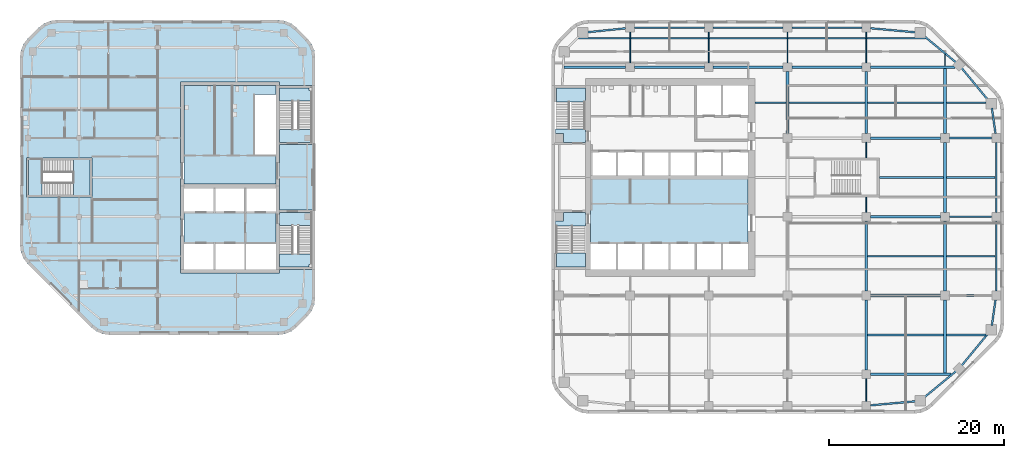
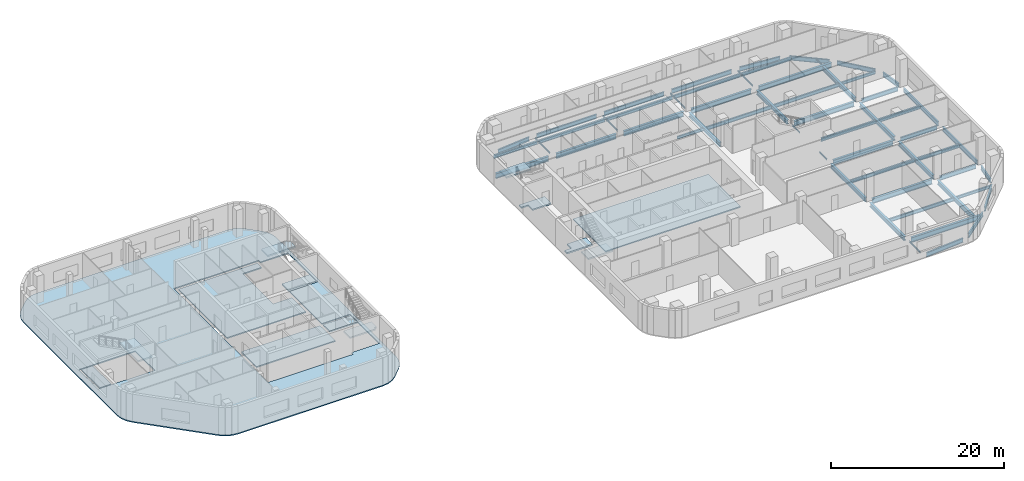
# One storey, part 3 of 14: 57 beams, 14 slabs, 5 elements without a shape of their own.
"""IFC4 building model written with IfcOpenShell, lengths in metres."""

from ifc_helpers import new_model, si_unit, direction, frame, origin, origin_2d, place, context, subcontext, project, spatial, polyline, i_section, outline, extrude, material, layer, layer_set, material_profile, profile_set, type_object, element, aggregate, save


model = new_model("IFC4")

# Units and contexts
model_context = context("Model", 3, precision=1e-05, world=origin(), true_north=direction((0.0, 1.0)))
body_context = subcontext(model_context, "Body", "Model", "MODEL_VIEW")
ifc_project = project(units=[si_unit("LENGTHUNIT", "METRE"), si_unit("AREAUNIT", "SQUARE_METRE"), si_unit("VOLUMEUNIT", "CUBIC_METRE"), si_unit("PLANEANGLEUNIT", "RADIAN"), si_unit("MASSUNIT", "GRAM", prefix="KILO")], contexts=[model_context])

# Site, building, storey
site_placement = place(None, origin())
site = spatial("IfcSite", under=ifc_project, at=site_placement, CompositionType="ELEMENT")
building_placement = place(site_placement, origin())
building = spatial("IfcBuilding", under=site, at=building_placement, Name="Cinnabar Reach Civic Tower", CompositionType="ELEMENT")
storey_placement = place(building_placement, frame((0.0, 0.0, 112.0)))
storey = spatial("IfcBuildingStorey", under=building, at=storey_placement, Name="L26", CompositionType="ELEMENT", Elevation=112.0)

# Beams
ifc_material_1 = material(Name="Steel Q355B", Category="steel")
ifc_material_profile_1 = material_profile(ifc_material_1, i_section(OverallWidth=0.302, OverallDepth=0.594, WebThickness=0.014, FlangeThickness=0.023, FilletRadius=0.016, at=origin_2d()), Name="HM594x302x14x23")
ifc_profile_set_1 = profile_set([ifc_material_profile_1], Name="Steel Q355B")
beam_type_1 = type_object("IfcBeamType", Name="HM594x302x14x23 beam R 180", PredefinedType="BEAM", material=ifc_profile_set_1)
beam_1_placement = place(storey_placement, frame((27.0, 36.502, -0.447), z_axis=(0.0, 1.0, 0.0), x_axis=(-1.0, 0.0, 0.0)))
element("IfcBeam", 1, at=beam_1_placement, inside=storey, type_object=beam_type_1, Name="Girder T1 L26 13", PredefinedType="BEAM", context=body_context, shape_type="SweptSolid", body=[
    extrude(i_section(OverallWidth=0.302, OverallDepth=0.594, WebThickness=0.014, FlangeThickness=0.023, FilletRadius=0.016, at=origin_2d()), origin(), (0.0, 0.0, 1.0), 7.096),
])
for number, where, z_axis, x_axis, name in (
    (2, (36.0, 9.502, -0.447), (0.0, 1.0, 0.0), (-1.0, 0.0, 0.0), "Girder T1 L26 16"),
    (3, (36.0, 18.502, -0.447), (0.0, 1.0, 0.0), (-1.0, 0.0, 0.0), "Girder T1 L26 17"),
):
    element("IfcBeam", number, at=place(storey_placement, frame(where, z_axis=z_axis, x_axis=x_axis)), inside=storey, type_object=beam_type_1, Name=name, PredefinedType="BEAM", context=body_context, shape_type="SweptSolid", body=[
        extrude(i_section(OverallWidth=0.302, OverallDepth=0.594, WebThickness=0.014, FlangeThickness=0.023, FilletRadius=0.016, at=origin_2d()), origin(), (0.0, 0.0, 1.0), 7.996),
    ])
beam_2_placement = place(storey_placement, frame((36.0, 36.502, -0.447), z_axis=(0.0, 1.0, 0.0), x_axis=(-1.0, 0.0, 0.0)))
element("IfcBeam", 4, at=beam_2_placement, inside=storey, type_object=beam_type_1, Name="Girder T1 L26 20", PredefinedType="BEAM", context=body_context, shape_type="SweptSolid", body=[
    extrude(i_section(OverallWidth=0.302, OverallDepth=0.594, WebThickness=0.014, FlangeThickness=0.023, FilletRadius=0.016, at=origin_2d()), origin(), (0.0, 0.0, 1.0), 7.096),
])
beam_3_placement = place(storey_placement, frame((45.0, 9.152, -0.447), z_axis=(0.0, 1.0, 0.0), x_axis=(-1.0, 0.0, 0.0)))
element("IfcBeam", 5, at=beam_3_placement, inside=storey, type_object=beam_type_1, Name="Girder T1 L26 22", PredefinedType="BEAM", context=body_context, shape_type="SweptSolid", body=[
    extrude(i_section(OverallWidth=0.302, OverallDepth=0.594, WebThickness=0.014, FlangeThickness=0.023, FilletRadius=0.016, at=origin_2d()), origin(), (0.0, 0.0, 1.0), 8.346),
])
for number, where, z_axis, x_axis, name in (
    (6, (45.0, 18.502, -0.447), (0.0, 1.0, 0.0), (-1.0, 0.0, 0.0), "Girder T1 L26 23"),
    (7, (45.0, 27.502, -0.447), (0.0, 1.0, 0.0), (-1.0, 0.0, 0.0), "Girder T1 L26 24"),
):
    element("IfcBeam", number, at=place(storey_placement, frame(where, z_axis=z_axis, x_axis=x_axis)), inside=storey, type_object=beam_type_1, Name=name, PredefinedType="BEAM", context=body_context, shape_type="SweptSolid", body=[
        extrude(i_section(OverallWidth=0.302, OverallDepth=0.594, WebThickness=0.014, FlangeThickness=0.023, FilletRadius=0.016, at=origin_2d()), origin(), (0.0, 0.0, 1.0), 7.996),
    ])
beam_4_placement = place(storey_placement, frame((45.0, 36.502, -0.447), z_axis=(0.0, 1.0, 0.0), x_axis=(-1.0, 0.0, 0.0)))
element("IfcBeam", 8, at=beam_4_placement, inside=storey, type_object=beam_type_1, Name="Girder T1 L26 25", PredefinedType="BEAM", context=body_context, shape_type="SweptSolid", body=[
    extrude(i_section(OverallWidth=0.302, OverallDepth=0.594, WebThickness=0.014, FlangeThickness=0.023, FilletRadius=0.016, at=origin_2d()), origin(), (0.0, 0.0, 1.0), 7.446),
])
ifc_material_profile_2 = material_profile(ifc_material_1, i_section(OverallWidth=0.099, OverallDepth=0.198, WebThickness=0.0045, FlangeThickness=0.007, FilletRadius=0.013, at=origin_2d()), Name="HN200x100x5.5x8")
ifc_profile_set_2 = profile_set([ifc_material_profile_2], Name="Steel Q355B")
beam_type_2 = type_object("IfcBeamType", Name="HN200x100x5.5x8 beam R 180", PredefinedType="BEAM", material=ifc_profile_set_2)
for number, where, z_axis, x_axis, name in (
    (9, (9.0, 44.602, -0.249), (0.0, 1.0, 0.0), (-1.0, 0.0, 0.0), "Girder T1 L26 4"),
    (10, (18.0, 44.602, -0.249), (0.0, 1.0, 0.0), (-1.0, 0.0, 0.0), "Girder T1 L26 8"),
    (11, (27.0, 44.602, -0.249), (0.0, 1.0, 0.0), (-1.0, 0.0, 0.0), "Girder T1 L26 14"),
):
    element("IfcBeam", number, at=place(storey_placement, frame(where, z_axis=z_axis, x_axis=x_axis)), inside=storey, type_object=beam_type_2, Name=name, PredefinedType="BEAM", context=body_context, shape_type="SweptSolid", body=[
        extrude(i_section(OverallWidth=0.099, OverallDepth=0.198, WebThickness=0.0045, FlangeThickness=0.007, FilletRadius=0.013, at=origin_2d()), origin(), (0.0, 0.0, 1.0), 3.496),
    ])
beam_5_placement = place(storey_placement, frame((36.0, 5.902, -0.249), z_axis=(0.0, 1.0, 0.0), x_axis=(-1.0, 0.0, 0.0)))
element("IfcBeam", 12, at=beam_5_placement, inside=storey, type_object=beam_type_2, Name="Girder T1 L26 15", PredefinedType="BEAM", context=body_context, shape_type="SweptSolid", body=[
    extrude(i_section(OverallWidth=0.099, OverallDepth=0.198, WebThickness=0.0045, FlangeThickness=0.007, FilletRadius=0.013, at=origin_2d()), origin(), (0.0, 0.0, 1.0), 2.596),
])
for number, where, z_axis, x_axis, name in (
    (13, (36.0, 27.502, -0.249), (0.0, 1.0, 0.0), (-1.0, 0.0, 0.0), "Girder T1 L26 18"),
    (14, (36.0, 33.752, -0.249), (0.0, 1.0, 0.0), (-1.0, 0.0, 0.0), "Girder T1 L26 19"),
):
    element("IfcBeam", number, at=place(storey_placement, frame(where, z_axis=z_axis, x_axis=x_axis)), inside=storey, type_object=beam_type_2, Name=name, PredefinedType="BEAM", context=body_context, shape_type="SweptSolid", body=[
        extrude(i_section(OverallWidth=0.099, OverallDepth=0.198, WebThickness=0.0045, FlangeThickness=0.007, FilletRadius=0.013, at=origin_2d()), origin(), (0.0, 0.0, 1.0), 1.746),
    ])
beam_6_placement = place(storey_placement, frame((36.0, 44.602, -0.249), z_axis=(0.0, 1.0, 0.0), x_axis=(-1.0, 0.0, 0.0)))
element("IfcBeam", 15, at=beam_6_placement, inside=storey, type_object=beam_type_2, Name="Girder T1 L26 21", PredefinedType="BEAM", context=body_context, shape_type="SweptSolid", body=[
    extrude(i_section(OverallWidth=0.099, OverallDepth=0.198, WebThickness=0.0045, FlangeThickness=0.007, FilletRadius=0.013, at=origin_2d()), origin(), (0.0, 0.0, 1.0), 3.496),
])
beam_7_placement = place(storey_placement, frame((45.0, 44.252, -0.249), z_axis=(0.0, 1.0, 0.0), x_axis=(-1.0, 0.0, 0.0)))
element("IfcBeam", 16, at=beam_7_placement, inside=storey, type_object=beam_type_2, Name="Girder T1 L26 26", PredefinedType="BEAM", context=body_context, shape_type="SweptSolid", body=[
    extrude(i_section(OverallWidth=0.099, OverallDepth=0.198, WebThickness=0.0045, FlangeThickness=0.007, FilletRadius=0.013, at=origin_2d()), origin(), (0.0, 0.0, 1.0), 1.3103),
])
ifc_material_profile_3 = material_profile(ifc_material_1, i_section(OverallWidth=0.199, OverallDepth=0.396, WebThickness=0.007, FlangeThickness=0.011, FilletRadius=0.013, at=origin_2d()), Name="HN396x199x7x11")
ifc_profile_set_3 = profile_set([ifc_material_profile_3], Name="Steel Q355B")
beam_type_3 = type_object("IfcBeamType", Name="HN396x199x7x11 beam R 180", PredefinedType="BEAM", material=ifc_profile_set_3)
beam_8_placement = place(storey_placement, frame((45.153, 13.5, -0.348), z_axis=(1.0, 0.0, 0.0), x_axis=(0.0, 1.0, 0.0)))
element("IfcBeam", 17, at=beam_8_placement, inside=storey, type_object=beam_type_3, Name="Secondary beam T1 L26 6", PredefinedType="BEAM", context=body_context, shape_type="SweptSolid", body=[
    extrude(i_section(OverallWidth=0.199, OverallDepth=0.396, WebThickness=0.007, FlangeThickness=0.011, FilletRadius=0.013, at=origin_2d()), origin(), (0.0, 0.0, 1.0), 4.5152),
])
beam_9_placement = place(storey_placement, frame((23.302, 40.05, -0.348), z_axis=(1.0, 0.0, 0.0), x_axis=(0.0, 1.0, 0.0)))
element("IfcBeam", 18, at=beam_9_placement, inside=storey, type_object=beam_type_3, Name="Secondary beam T1 L26 16", PredefinedType="BEAM", context=body_context, shape_type="SweptSolid", body=[
    extrude(i_section(OverallWidth=0.199, OverallDepth=0.396, WebThickness=0.007, FlangeThickness=0.011, FilletRadius=0.013, at=origin_2d()), origin(), (0.0, 0.0, 1.0), 3.545),
])
beam_10_placement = place(storey_placement, frame((45.153, 40.05, -0.348), z_axis=(1.0, 0.0, 0.0), x_axis=(0.0, 1.0, 0.0)))
element("IfcBeam", 19, at=beam_10_placement, inside=storey, type_object=beam_type_3, Name="Secondary beam T1 L26 19", PredefinedType="BEAM", context=body_context, shape_type="SweptSolid", body=[
    extrude(i_section(OverallWidth=0.199, OverallDepth=0.396, WebThickness=0.007, FlangeThickness=0.011, FilletRadius=0.013, at=origin_2d()), origin(), (0.0, 0.0, 1.0), 4.5419),
])
ifc_material_profile_4 = material_profile(ifc_material_1, i_section(OverallWidth=0.199, OverallDepth=0.496, WebThickness=0.009, FlangeThickness=0.014, FilletRadius=0.016, at=origin_2d()), Name="HN496x199x9x14")
ifc_profile_set_4 = profile_set([ifc_material_profile_4], Name="Steel Q355B")
beam_type_4 = type_object("IfcBeamType", Name="HN496x199x9x14 beam R 180", PredefinedType="BEAM", material=ifc_profile_set_4)
for number, where, z_axis, x_axis, name in (
    (20, (36.153, 13.5, -0.398), (1.0, 0.0, 0.0), (0.0, 1.0, 0.0), "Secondary beam T1 L26 5"),
    (21, (36.153, 22.5, -0.398), (1.0, 0.0, 0.0), (0.0, 1.0, 0.0), "Secondary beam T1 L26 9"),
):
    element("IfcBeam", number, at=place(storey_placement, frame(where, z_axis=z_axis, x_axis=x_axis)), inside=storey, type_object=beam_type_4, Name=name, PredefinedType="BEAM", context=body_context, shape_type="SweptSolid", body=[
        extrude(i_section(OverallWidth=0.199, OverallDepth=0.496, WebThickness=0.009, FlangeThickness=0.014, FilletRadius=0.016, at=origin_2d()), origin(), (0.0, 0.0, 1.0), 8.694),
    ])
beam_11_placement = place(storey_placement, frame((45.153, 22.5, -0.398), z_axis=(1.0, 0.0, 0.0), x_axis=(0.0, 1.0, 0.0)))
element("IfcBeam", 22, at=beam_11_placement, inside=storey, type_object=beam_type_4, Name="Secondary beam T1 L26 10", PredefinedType="BEAM", context=body_context, shape_type="SweptSolid", body=[
    extrude(i_section(OverallWidth=0.199, OverallDepth=0.496, WebThickness=0.009, FlangeThickness=0.014, FilletRadius=0.016, at=origin_2d()), origin(), (0.0, 0.0, 1.0), 5.595),
])
beam_12_placement = place(storey_placement, frame((37.502, 31.5, -0.398), z_axis=(1.0, 0.0, 0.0), x_axis=(0.0, 1.0, 0.0)))
element("IfcBeam", 23, at=beam_12_placement, inside=storey, type_object=beam_type_4, Name="Secondary beam T1 L26 14", PredefinedType="BEAM", context=body_context, shape_type="SweptSolid", body=[
    extrude(i_section(OverallWidth=0.199, OverallDepth=0.496, WebThickness=0.009, FlangeThickness=0.014, FilletRadius=0.016, at=origin_2d()), origin(), (0.0, 0.0, 1.0), 7.345),
])
beam_13_placement = place(storey_placement, frame((45.153, 31.5, -0.398), z_axis=(1.0, 0.0, 0.0), x_axis=(0.0, 1.0, 0.0)))
element("IfcBeam", 24, at=beam_13_placement, inside=storey, type_object=beam_type_4, Name="Secondary beam T1 L26 15", PredefinedType="BEAM", context=body_context, shape_type="SweptSolid", body=[
    extrude(i_section(OverallWidth=0.199, OverallDepth=0.496, WebThickness=0.009, FlangeThickness=0.014, FilletRadius=0.016, at=origin_2d()), origin(), (0.0, 0.0, 1.0), 5.595),
])
for number, where, z_axis, x_axis, name in (
    (25, (27.153, 40.05, -0.398), (1.0, 0.0, 0.0), (0.0, 1.0, 0.0), "Secondary beam T1 L26 17"),
    (26, (36.153, 40.05, -0.398), (1.0, 0.0, 0.0), (0.0, 1.0, 0.0), "Secondary beam T1 L26 18"),
):
    element("IfcBeam", number, at=place(storey_placement, frame(where, z_axis=z_axis, x_axis=x_axis)), inside=storey, type_object=beam_type_4, Name=name, PredefinedType="BEAM", context=body_context, shape_type="SweptSolid", body=[
        extrude(i_section(OverallWidth=0.199, OverallDepth=0.496, WebThickness=0.009, FlangeThickness=0.014, FilletRadius=0.016, at=origin_2d()), origin(), (0.0, 0.0, 1.0), 8.694),
    ])
beam_14_placement = place(storey_placement, frame((3.0992, 47.4, -0.398), z_axis=(1.0, 0.0, 0.0), x_axis=(0.0, 1.0, 0.0)))
element("IfcBeam", 27, at=beam_14_placement, inside=storey, type_object=beam_type_4, Name="Secondary beam T1 L26 20", PredefinedType="BEAM", context=body_context, shape_type="SweptSolid", body=[
    extrude(i_section(OverallWidth=0.199, OverallDepth=0.496, WebThickness=0.009, FlangeThickness=0.014, FilletRadius=0.016, at=origin_2d()), origin(), (0.0, 0.0, 1.0), 5.8493),
])
for number, where, z_axis, x_axis, name in (
    (28, (9.0515, 47.4, -0.398), (1.0, 0.0, 0.0), (0.0, 1.0, 0.0), "Secondary beam T1 L26 21"),
    (29, (18.0515, 47.4, -0.398), (1.0, 0.0, 0.0), (0.0, 1.0, 0.0), "Secondary beam T1 L26 22"),
    (30, (27.0515, 47.4, -0.398), (1.0, 0.0, 0.0), (0.0, 1.0, 0.0), "Secondary beam T1 L26 23"),
):
    element("IfcBeam", number, at=place(storey_placement, frame(where, z_axis=z_axis, x_axis=x_axis)), inside=storey, type_object=beam_type_4, Name=name, PredefinedType="BEAM", context=body_context, shape_type="SweptSolid", body=[
        extrude(i_section(OverallWidth=0.199, OverallDepth=0.496, WebThickness=0.009, FlangeThickness=0.014, FilletRadius=0.016, at=origin_2d()), origin(), (0.0, 0.0, 1.0), 8.897),
    ])
beam_15_placement = place(storey_placement, frame((36.0515, 47.4, -0.398), z_axis=(1.0, 0.0, 0.0), x_axis=(0.0, 1.0, 0.0)))
element("IfcBeam", 31, at=beam_15_placement, inside=storey, type_object=beam_type_4, Name="Secondary beam T1 L26 24", PredefinedType="BEAM", context=body_context, shape_type="SweptSolid", body=[
    extrude(i_section(OverallWidth=0.199, OverallDepth=0.496, WebThickness=0.009, FlangeThickness=0.014, FilletRadius=0.016, at=origin_2d()), origin(), (0.0, 0.0, 1.0), 6.7206),
])
ifc_material_profile_5 = material_profile(ifc_material_1, i_section(OverallWidth=0.199, OverallDepth=0.596, WebThickness=0.01, FlangeThickness=0.015, FilletRadius=0.016, at=origin_2d()), Name="HN596x199x10x15")
ifc_profile_set_5 = profile_set([ifc_material_profile_5], Name="Steel Q355B")
beam_type_5 = type_object("IfcBeamType", Name="HN596x199x10x15 beam R 180", PredefinedType="BEAM", material=ifc_profile_set_5)
for number, where, z_axis, x_axis, name in (
    (32, (45.502, 18.0, -0.448), (1.0, 0.0, 0.0), (0.0, 1.0, 0.0), "Girder T1 L26 11"),
    (33, (45.502, 27.0, -0.448), (1.0, 0.0, 0.0), (0.0, 1.0, 0.0), "Girder T1 L26 15"),
    (34, (45.502, 36.0, -0.448), (1.0, 0.0, 0.0), (0.0, 1.0, 0.0), "Girder T1 L26 19"),
):
    element("IfcBeam", number, at=place(storey_placement, frame(where, z_axis=z_axis, x_axis=x_axis)), inside=storey, type_object=beam_type_5, Name=name, PredefinedType="BEAM", context=body_context, shape_type="SweptSolid", body=[
        extrude(i_section(OverallWidth=0.199, OverallDepth=0.596, WebThickness=0.01, FlangeThickness=0.015, FilletRadius=0.016, at=origin_2d()), origin(), (0.0, 0.0, 1.0), 4.846),
    ])
ifc_material_profile_6 = material_profile(ifc_material_1, i_section(OverallWidth=0.2, OverallDepth=0.6, WebThickness=0.011, FlangeThickness=0.017, FilletRadius=0.016, at=origin_2d()), Name="HN600x200x11x17")
ifc_profile_set_6 = profile_set([ifc_material_profile_6], Name="Steel Q355B")
beam_type_6 = type_object("IfcBeamType", Name="HN600x200x11x17 beam R 180", PredefinedType="BEAM", material=ifc_profile_set_6)
beam_16_placement = place(storey_placement, frame((36.502, 5.4452, -0.45), z_axis=(0.995979069281, 0.089586235294, 0.0), x_axis=(-0.089586235294, 0.995979069281, 0.0)))
element("IfcBeam", 35, at=beam_16_placement, inside=storey, type_object=beam_type_6, Name="Edge beam T1 L26 5", PredefinedType="BEAM", context=body_context, shape_type="SweptSolid", body=[
    extrude(i_section(OverallWidth=0.2, OverallDepth=0.6, WebThickness=0.011, FlangeThickness=0.017, FilletRadius=0.016, at=origin_2d()), origin(), (0.0, 0.0, 1.0), 5.1849),
])
for number, where, z_axis, x_axis, name in (
    (36, (42.6301, 6.3507, -0.45), (0.77143827905, 0.6363041581, 0.0), (-0.6363041581, 0.77143827905, 0.0), "Edge beam T1 L26 6"),
    (37, (46.8961, 9.9789, -0.45), (0.6363041581, 0.77143827905, 0.0), (-0.77143827905, 0.6363041581, 0.0), "Edge beam T1 L26 7"),
):
    element("IfcBeam", number, at=place(storey_placement, frame(where, z_axis=z_axis, x_axis=x_axis)), inside=storey, type_object=beam_type_6, Name=name, PredefinedType="BEAM", context=body_context, shape_type="SweptSolid", body=[
        extrude(i_section(OverallWidth=0.2, OverallDepth=0.6, WebThickness=0.011, FlangeThickness=0.017, FilletRadius=0.016, at=origin_2d()), origin(), (0.0, 0.0, 1.0), 4.7198),
    ])
beam_17_placement = place(storey_placement, frame((50.3653, 14.5839, -0.45), z_axis=(0.140489003738, 0.990082238922, 0.0), x_axis=(-0.990082238922, 0.140489003738, 0.0)))
element("IfcBeam", 38, at=beam_17_placement, inside=storey, type_object=beam_type_6, Name="Edge beam T1 L26 8", PredefinedType="BEAM", context=body_context, shape_type="SweptSolid", body=[
    extrude(i_section(OverallWidth=0.2, OverallDepth=0.6, WebThickness=0.011, FlangeThickness=0.017, FilletRadius=0.016, at=origin_2d()), origin(), (0.0, 0.0, 1.0), 2.9433),
])
for number, where, z_axis, x_axis, name in (
    (39, (50.85, 18.502, -0.45), (0.0, 1.0, 0.0), (-1.0, 0.0, 0.0), "Edge beam T1 L26 9"),
    (40, (50.85, 27.502, -0.45), (0.0, 1.0, 0.0), (-1.0, 0.0, 0.0), "Edge beam T1 L26 10"),
):
    element("IfcBeam", number, at=place(storey_placement, frame(where, z_axis=z_axis, x_axis=x_axis)), inside=storey, type_object=beam_type_6, Name=name, PredefinedType="BEAM", context=body_context, shape_type="SweptSolid", body=[
        extrude(i_section(OverallWidth=0.2, OverallDepth=0.6, WebThickness=0.011, FlangeThickness=0.017, FilletRadius=0.016, at=origin_2d()), origin(), (0.0, 0.0, 1.0), 7.996),
    ])
beam_18_placement = place(storey_placement, frame((50.7788, 36.502, -0.45), z_axis=(-0.140489003738, 0.990082238922, 0.0), x_axis=(-0.990082238922, -0.140489003738, 0.0)))
element("IfcBeam", 41, at=beam_18_placement, inside=storey, type_object=beam_type_6, Name="Edge beam T1 L26 11", PredefinedType="BEAM", context=body_context, shape_type="SweptSolid", body=[
    extrude(i_section(OverallWidth=0.2, OverallDepth=0.6, WebThickness=0.011, FlangeThickness=0.017, FilletRadius=0.016, at=origin_2d()), origin(), (0.0, 0.0, 1.0), 2.9433),
])
for number, where, z_axis, x_axis, name in (
    (42, (49.8993, 40.3801, -0.45), (-0.6363041581, 0.77143827905, 0.0), (-0.77143827905, -0.6363041581, 0.0), "Edge beam T1 L26 12"),
    (43, (46.2711, 44.6461, -0.45), (-0.77143827905, 0.6363041581, 0.0), (-0.6363041581, -0.77143827905, 0.0), "Edge beam T1 L26 13"),
):
    element("IfcBeam", number, at=place(storey_placement, frame(where, z_axis=z_axis, x_axis=x_axis)), inside=storey, type_object=beam_type_6, Name=name, PredefinedType="BEAM", context=body_context, shape_type="SweptSolid", body=[
        extrude(i_section(OverallWidth=0.2, OverallDepth=0.6, WebThickness=0.011, FlangeThickness=0.017, FilletRadius=0.016, at=origin_2d()), origin(), (0.0, 0.0, 1.0), 4.7198),
    ])
beam_19_placement = place(storey_placement, frame((41.6661, 48.0903, -0.45), z_axis=(-0.995979069281, 0.089586235294, 0.0), x_axis=(-0.089586235294, -0.995979069281, 0.0)))
element("IfcBeam", 44, at=beam_19_placement, inside=storey, type_object=beam_type_6, Name="Edge beam T1 L26 14", PredefinedType="BEAM", context=body_context, shape_type="SweptSolid", body=[
    extrude(i_section(OverallWidth=0.2, OverallDepth=0.6, WebThickness=0.011, FlangeThickness=0.017, FilletRadius=0.016, at=origin_2d()), origin(), (0.0, 0.0, 1.0), 5.1849),
])
for number, where, z_axis, x_axis, name in (
    (45, (35.498, 48.6, -0.45), (-1.0, 0.0, 0.0), (0.0, -1.0, 0.0), "Edge beam T1 L26 15"),
    (46, (26.498, 48.6, -0.45), (-1.0, 0.0, 0.0), (0.0, -1.0, 0.0), "Edge beam T1 L26 16"),
    (47, (17.498, 48.6, -0.45), (-1.0, 0.0, 0.0), (0.0, -1.0, 0.0), "Edge beam T1 L26 17"),
):
    element("IfcBeam", number, at=place(storey_placement, frame(where, z_axis=z_axis, x_axis=x_axis)), inside=storey, type_object=beam_type_6, Name=name, PredefinedType="BEAM", context=body_context, shape_type="SweptSolid", body=[
        extrude(i_section(OverallWidth=0.2, OverallDepth=0.6, WebThickness=0.011, FlangeThickness=0.017, FilletRadius=0.016, at=origin_2d()), origin(), (0.0, 0.0, 1.0), 7.996),
    ])
beam_20_placement = place(storey_placement, frame((8.498, 48.5486, -0.45), z_axis=(-0.994791228755, -0.101933366432, 0.0), x_axis=(0.101933366432, -0.994791228755, 0.0)))
element("IfcBeam", 48, at=beam_20_placement, inside=storey, type_object=beam_type_6, Name="Edge beam T1 L26 18", PredefinedType="BEAM", context=body_context, shape_type="SweptSolid", body=[
    extrude(i_section(OverallWidth=0.2, OverallDepth=0.6, WebThickness=0.011, FlangeThickness=0.017, FilletRadius=0.016, at=origin_2d()), origin(), (0.0, 0.0, 1.0), 4.4372),
])
ifc_material_profile_7 = material_profile(ifc_material_1, i_section(OverallWidth=0.3, OverallDepth=0.692, WebThickness=0.013, FlangeThickness=0.02, FilletRadius=0.016, at=origin_2d()), Name="HN692x300x13x20")
ifc_profile_set_7 = profile_set([ifc_material_profile_7], Name="Steel Q355B")
beam_type_7 = type_object("IfcBeamType", Name="HN692x300x13x20 beam R 180", PredefinedType="BEAM", material=ifc_profile_set_7)
beam_21_placement = place(storey_placement, frame((36.502, 9.0, -0.496), z_axis=(1.0, 0.0, 0.0), x_axis=(0.0, 1.0, 0.0)))
element("IfcBeam", 49, at=beam_21_placement, inside=storey, type_object=beam_type_7, Name="Girder T1 L26 5", PredefinedType="BEAM", context=body_context, shape_type="SweptSolid", body=[
    extrude(i_section(OverallWidth=0.3, OverallDepth=0.692, WebThickness=0.013, FlangeThickness=0.02, FilletRadius=0.016, at=origin_2d()), origin(), (0.0, 0.0, 1.0), 9.1798),
])
for number, where, z_axis, x_axis, name in (
    (50, (36.502, 18.0, -0.496), (1.0, 0.0, 0.0), (0.0, 1.0, 0.0), "Girder T1 L26 10"),
    (51, (36.502, 27.0, -0.496), (1.0, 0.0, 0.0), (0.0, 1.0, 0.0), "Girder T1 L26 14"),
    (52, (36.502, 36.0, -0.496), (1.0, 0.0, 0.0), (0.0, 1.0, 0.0), "Girder T1 L26 18"),
):
    element("IfcBeam", number, at=place(storey_placement, frame(where, z_axis=z_axis, x_axis=x_axis)), inside=storey, type_object=beam_type_7, Name=name, PredefinedType="BEAM", context=body_context, shape_type="SweptSolid", body=[
        extrude(i_section(OverallWidth=0.3, OverallDepth=0.692, WebThickness=0.013, FlangeThickness=0.02, FilletRadius=0.016, at=origin_2d()), origin(), (0.0, 0.0, 1.0), 7.996),
    ])
beam_22_placement = place(storey_placement, frame((1.4548, 44.1, -0.496), z_axis=(1.0, 0.0, 0.0), x_axis=(0.0, 1.0, 0.0)))
element("IfcBeam", 53, at=beam_22_placement, inside=storey, type_object=beam_type_7, Name="Girder T1 L26 20", PredefinedType="BEAM", context=body_context, shape_type="SweptSolid", body=[
    extrude(i_section(OverallWidth=0.3, OverallDepth=0.692, WebThickness=0.013, FlangeThickness=0.02, FilletRadius=0.016, at=origin_2d()), origin(), (0.0, 0.0, 1.0), 7.0432),
])
for number, where, z_axis, x_axis, name in (
    (54, (9.502, 44.1, -0.496), (1.0, 0.0, 0.0), (0.0, 1.0, 0.0), "Girder T1 L26 21"),
    (55, (18.502, 44.1, -0.496), (1.0, 0.0, 0.0), (0.0, 1.0, 0.0), "Girder T1 L26 22"),
    (56, (27.502, 44.1, -0.496), (1.0, 0.0, 0.0), (0.0, 1.0, 0.0), "Girder T1 L26 23"),
):
    element("IfcBeam", number, at=place(storey_placement, frame(where, z_axis=z_axis, x_axis=x_axis)), inside=storey, type_object=beam_type_7, Name=name, PredefinedType="BEAM", context=body_context, shape_type="SweptSolid", body=[
        extrude(i_section(OverallWidth=0.3, OverallDepth=0.692, WebThickness=0.013, FlangeThickness=0.02, FilletRadius=0.016, at=origin_2d()), origin(), (0.0, 0.0, 1.0), 7.996),
    ])
beam_23_placement = place(storey_placement, frame((36.502, 44.1, -0.496), z_axis=(1.0, 0.0, 0.0), x_axis=(0.0, 1.0, 0.0)))
element("IfcBeam", 57, at=beam_23_placement, inside=storey, type_object=beam_type_7, Name="Girder T1 L26 24", PredefinedType="BEAM", context=body_context, shape_type="SweptSolid", body=[
    extrude(i_section(OverallWidth=0.3, OverallDepth=0.692, WebThickness=0.013, FlangeThickness=0.02, FilletRadius=0.016, at=origin_2d()), origin(), (0.0, 0.0, 1.0), 9.6653),
])

# Slab
ifc_material_2 = material(Name="Concrete C40", Category="concrete")
ifc_layer_1 = layer(ifc_material_2, 0.15)
ifc_layer_set_1 = layer_set([ifc_layer_1], Name="Composite floor slab 150 REI 120")
slab_type_1 = type_object("IfcSlabType", Name="Composite floor slab 150 REI 120", PredefinedType="FLOOR", material=ifc_layer_set_1)
slab_1_placement = place(storey_placement, frame((0.0, 0.0, -0.15)))
element("IfcSlab", 58, at=slab_1_placement, inside=storey, type_object=slab_type_1, Name="Composite floor slab 150 T2 L26", PredefinedType="FLOOR", context=body_context, shape_type="SweptSolid", body=[
    extrude(outline(polyline([(-59.8713, 21.6213), (-60.3481, 22.2426), (-60.6478, 22.9662), (-60.75, 23.7426), (-60.75, 45.2574), (-60.6478, 46.0338), (-60.3481, 46.7574), (-59.8713, 47.3787), (-58.6287, 48.6213), (-58.0074, 49.0981), (-57.2838, 49.3978), (-56.5074, 49.5), (-31.2426, 49.5), (-30.4662, 49.3978), (-29.7426, 49.0981), (-29.1213, 48.6213), (-27.8787, 47.3787), (-27.4019, 46.7574), (-27.1022, 46.0338), (-27.0, 45.2574), (-27.0, 17.7426), (-27.1022, 16.9662), (-27.4019, 16.2426), (-27.8787, 15.6213), (-29.1213, 14.3787), (-29.7426, 13.9019), (-30.4662, 13.6022), (-31.2426, 13.5), (-50.5074, 13.5), (-51.2838, 13.6022), (-52.0074, 13.9019), (-52.6287, 14.3787), (-59.8713, 21.6213)]), holes=[polyline([(-31.1, 27.75), (-31.1, 35.25), (-27.36, 35.25), (-27.36, 42.0), (-31.1, 42.0), (-31.1, 42.4), (-42.4, 42.4), (-42.4, 20.6), (-31.1, 20.6), (-31.1, 21.0), (-27.36, 21.0), (-27.36, 27.75), (-31.1, 27.75)]), polyline([(-60.0, 33.75), (-60.0, 29.25), (-52.5, 29.25), (-52.5, 33.75), (-60.0, 33.75)])]), origin(), (0.0, 0.0, 1.0), 0.15),
])

# Stair, slabs
ifc_material_3 = material(Name="Concrete C40/50", Category="concrete")
stair_type_1 = type_object("IfcStairType", Name="T1 Exit stair, half-turn", PredefinedType="HALF_TURN_STAIR", material=ifc_material_3)
stair_1_placement = place(storey_placement, origin())
stair_1 = element("IfcStair", 59, at=stair_1_placement, inside=storey, type_object=stair_type_1, Name="Stair T1-S1", PredefinedType="HALF_TURN_STAIR")
ifc_layer_2 = layer(ifc_material_3, 0.2)
ifc_layer_set_2 = layer_set([ifc_layer_2], Name="T1 Stair landing 200, Concrete C40/50")
slab_type_2 = type_object("IfcSlabType", Name="T1 Stair landing 200, Concrete C40/50", PredefinedType="LANDING", material=ifc_layer_set_2)
slab_2_placement = place(storey_placement, frame((0.0, 0.0, -0.2)))
slab_2 = element("IfcSlab", 60, at=slab_2_placement, type_object=slab_type_2, Name="T1-S1 landing 1", PredefinedType="LANDING", context=body_context, shape_type="SweptSolid", body=[
    extrude(outline(polyline([(3.9, 27.5), (3.9, 25.95), (0.5, 25.95), (0.5, 26.5), (1.4, 26.5), (1.4, 27.5), (3.9, 27.5)])), origin(), (0.0, 0.0, 1.0), 0.2),
])
slab_3_placement = place(storey_placement, frame((0.0, 0.0, 1.8)))
slab_3 = element("IfcSlab", 61, at=slab_3_placement, type_object=slab_type_2, Name="T1-S1 landing 2", PredefinedType="LANDING", context=body_context, shape_type="SweptSolid", body=[
    extrude(outline(polyline([(0.6, 21.25), (0.6, 22.87), (3.9, 22.87), (3.9, 21.25), (0.6, 21.25)])), origin(), (0.0, 0.0, 1.0), 0.2),
])
aggregate(stair_1, [slab_2, slab_3])

stair_2_placement = place(storey_placement, origin())
stair_2 = element("IfcStair", 62, at=stair_2_placement, inside=storey, type_object=stair_type_1, Name="Stair T1-S2", PredefinedType="HALF_TURN_STAIR")
slab_4_placement = place(storey_placement, frame((0.0, 0.0, -0.2)))
slab_4 = element("IfcSlab", 63, at=slab_4_placement, type_object=slab_type_2, Name="T1-S2 landing 1", PredefinedType="LANDING", context=body_context, shape_type="SweptSolid", body=[
    extrude(outline(polyline([(0.5, 37.05), (3.9, 37.05), (3.9, 35.5), (1.4, 35.5), (1.4, 36.5), (0.5, 36.5), (0.5, 37.05)])), origin(), (0.0, 0.0, 1.0), 0.2),
])
slab_5_placement = place(storey_placement, frame((0.0, 0.0, 1.8)))
slab_5 = element("IfcSlab", 64, at=slab_5_placement, type_object=slab_type_2, Name="T1-S2 landing 2", PredefinedType="LANDING", context=body_context, shape_type="SweptSolid", body=[
    extrude(outline(polyline([(0.6, 40.13), (0.6, 41.75), (3.9, 41.75), (3.9, 40.13), (0.6, 40.13)])), origin(), (0.0, 0.0, 1.0), 0.2),
])
aggregate(stair_2, [slab_4, slab_5])

# Slabs
ifc_layer_3 = layer(ifc_material_3, 0.15)
ifc_layer_set_3 = layer_set([ifc_layer_3], Name="T1 core floor slab 150")
slab_type_3 = type_object("IfcSlabType", Name="T1 core floor slab 150", PredefinedType="FLOOR", material=ifc_layer_set_3)
slab_6_placement = place(storey_placement, frame((0.0, 0.0, -0.15)))
element("IfcSlab", 65, at=slab_6_placement, inside=storey, type_object=slab_type_3, Name="Core floor slab L26", PredefinedType="FLOOR", context=body_context, shape_type="SweptSolid", body=[
    extrude(outline(polyline([(22.5, 24.0), (19.5, 24.0), (16.5, 24.0), (13.5, 24.0), (10.5, 24.0), (7.5, 24.0), (4.5, 24.0), (4.5, 31.5), (7.5, 31.5), (10.5, 31.5), (13.5, 31.5), (16.5, 31.5), (19.5, 31.5), (22.5, 31.5), (22.5, 24.0)])), origin(), (0.0, 0.0, 1.0), 0.15),
])
ifc_layer_4 = layer(ifc_material_2, 0.15)
ifc_layer_set_4 = layer_set([ifc_layer_4], Name="T2 Core floor slab 150")
slab_type_4 = type_object("IfcSlabType", Name="T2 Core floor slab 150", PredefinedType="FLOOR", material=ifc_layer_set_4)
slab_7_placement = place(storey_placement, frame((0.0, 0.0, -0.15)))
element("IfcSlab", 66, at=slab_7_placement, inside=storey, type_object=slab_type_4, Name="Core floor slab L26", PredefinedType="FLOOR", context=body_context, shape_type="SweptSolid", body=[
    extrude(outline(polyline([(-42.0, 42.0), (-31.5, 42.0), (-31.5, 41.0), (-34.0, 41.0), (-34.0, 34.0), (-31.5, 34.0), (-31.5, 30.75), (-42.0, 30.75), (-42.0, 42.0)])), origin(), (0.0, 0.0, 1.0), 0.15),
])
slab_8_placement = place(storey_placement, frame((0.0, 0.0, -0.15)))
element("IfcSlab", 67, at=slab_8_placement, inside=storey, type_object=slab_type_4, Name="Core floor slab L26", PredefinedType="FLOOR", context=body_context, shape_type="SweptSolid", body=[
    extrude(outline(polyline([(-35.0, 24.0), (-38.5, 24.0), (-42.0, 24.0), (-42.0, 27.5), (-38.5, 27.5), (-35.0, 27.5), (-31.5, 27.5), (-31.5, 24.0), (-35.0, 24.0)])), origin(), (0.0, 0.0, 1.0), 0.15),
])

# Stair, slabs
stair_type_2 = type_object("IfcStairType", Name="T2 Exit stair 1500", PredefinedType="HALF_TURN_STAIR", material=ifc_material_2)
stair_3_placement = place(storey_placement, origin())
stair_3 = element("IfcStair", 68, at=stair_3_placement, inside=storey, type_object=stair_type_2, Name="Exit stair 1", PredefinedType="HALF_TURN_STAIR")
ifc_layer_5 = layer(ifc_material_2, 0.2)
ifc_layer_set_5 = layer_set([ifc_layer_5], Name="T2 Stair landing 200")
slab_type_5 = type_object("IfcSlabType", Name="T2 Stair landing 200", PredefinedType="LANDING", material=ifc_layer_set_5)
slab_9_placement = place(storey_placement, frame((0.0, 0.0, -0.2)))
slab_9 = element("IfcSlab", 69, at=slab_9_placement, type_object=slab_type_5, Name="ST1 landing 1", PredefinedType="LANDING", context=body_context, shape_type="SweptSolid", body=[
    extrude(outline(polyline([(-31.1, 26.0), (-31.1, 27.5), (-27.4, 27.5), (-27.4, 26.0), (-31.1, 26.0)])), origin(), (0.0, 0.0, 1.0), 0.2),
])
slab_10_placement = place(storey_placement, frame((0.0, 0.0, 1.8)))
slab_10 = element("IfcSlab", 70, at=slab_10_placement, type_object=slab_type_5, Name="ST1 landing 2", PredefinedType="LANDING", context=body_context, shape_type="SweptSolid", body=[
    extrude(outline(polyline([(-31.1, 21.25), (-31.1, 22.75), (-27.4, 22.75), (-27.4, 21.55), (-27.7, 21.55), (-27.7, 21.25), (-31.1, 21.25)])), origin(), (0.0, 0.0, 1.0), 0.2),
])
aggregate(stair_3, [slab_9, slab_10])

stair_4_placement = place(storey_placement, origin())
stair_4 = element("IfcStair", 71, at=stair_4_placement, inside=storey, type_object=stair_type_2, Name="Exit stair 2", PredefinedType="HALF_TURN_STAIR")
slab_11_placement = place(storey_placement, frame((0.0, 0.0, -0.2)))
slab_11 = element("IfcSlab", 72, at=slab_11_placement, type_object=slab_type_5, Name="ST2 landing 1", PredefinedType="LANDING", context=body_context, shape_type="SweptSolid", body=[
    extrude(outline(polyline([(-31.1, 35.5), (-31.1, 37.0), (-27.4, 37.0), (-27.4, 35.5), (-31.1, 35.5)])), origin(), (0.0, 0.0, 1.0), 0.2),
])
slab_12_placement = place(storey_placement, frame((0.0, 0.0, 1.8)))
slab_12 = element("IfcSlab", 73, at=slab_12_placement, type_object=slab_type_5, Name="ST2 landing 2", PredefinedType="LANDING", context=body_context, shape_type="SweptSolid", body=[
    extrude(outline(polyline([(-27.4, 40.25), (-31.1, 40.25), (-31.1, 41.75), (-27.7, 41.75), (-27.7, 41.45), (-27.4, 41.45), (-27.4, 40.25)])), origin(), (0.0, 0.0, 1.0), 0.2),
])
aggregate(stair_4, [slab_11, slab_12])

stair_5_placement = place(storey_placement, origin())
stair_5 = element("IfcStair", 74, at=stair_5_placement, inside=storey, type_object=stair_type_2, Name="Exit stair 3", PredefinedType="HALF_TURN_STAIR")
slab_13_placement = place(storey_placement, frame((0.0, 0.0, -0.2)))
slab_13 = element("IfcSlab", 75, at=slab_13_placement, type_object=slab_type_5, Name="ST3 landing 1", PredefinedType="LANDING", context=body_context, shape_type="SweptSolid", body=[
    extrude(outline(polyline([(-59.75, 29.375), (-59.75, 33.625), (-58.25, 33.625), (-58.25, 29.375), (-59.75, 29.375)])), origin(), (0.0, 0.0, 1.0), 0.2),
])
slab_14_placement = place(storey_placement, frame((0.0, 0.0, 1.8)))
slab_14 = element("IfcSlab", 76, at=slab_14_placement, type_object=slab_type_5, Name="ST3 landing 2", PredefinedType="LANDING", context=body_context, shape_type="SweptSolid", body=[
    extrude(outline(polyline([(-54.65, 29.375), (-54.65, 33.625), (-52.75, 33.625), (-52.75, 29.375), (-54.65, 29.375)])), origin(), (0.0, 0.0, 1.0), 0.2),
])
aggregate(stair_5, [slab_13, slab_14])

save(model, "model.ifc")
